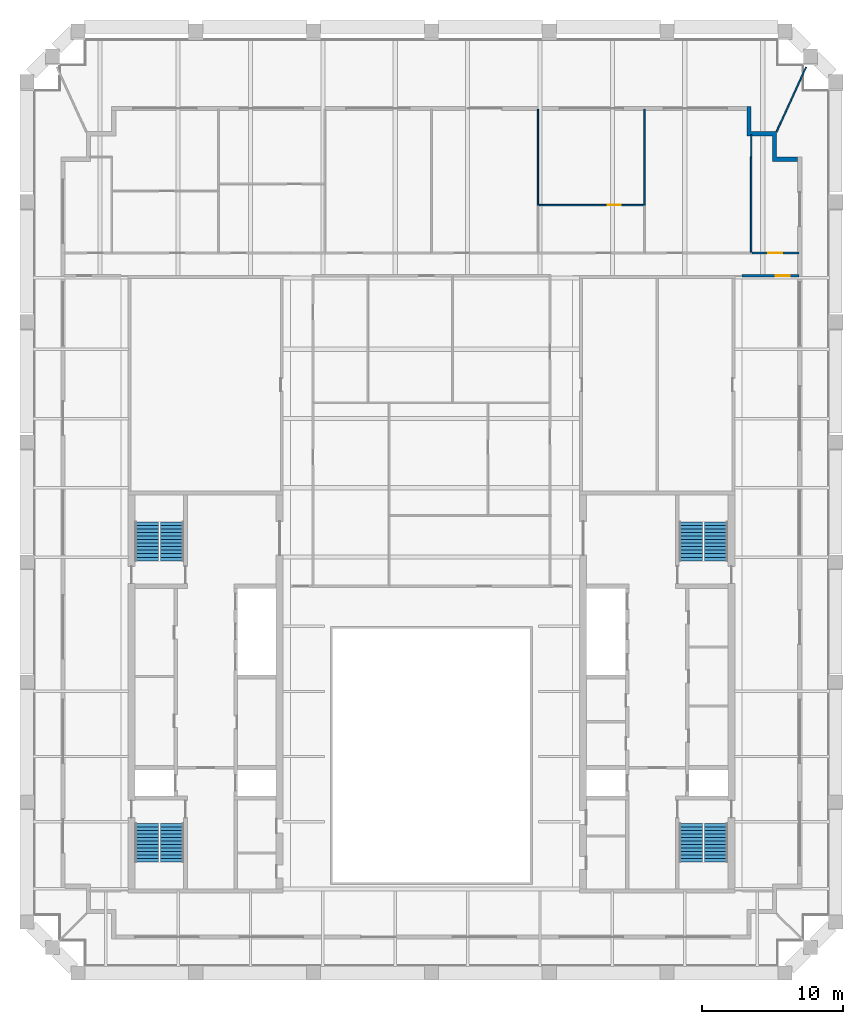
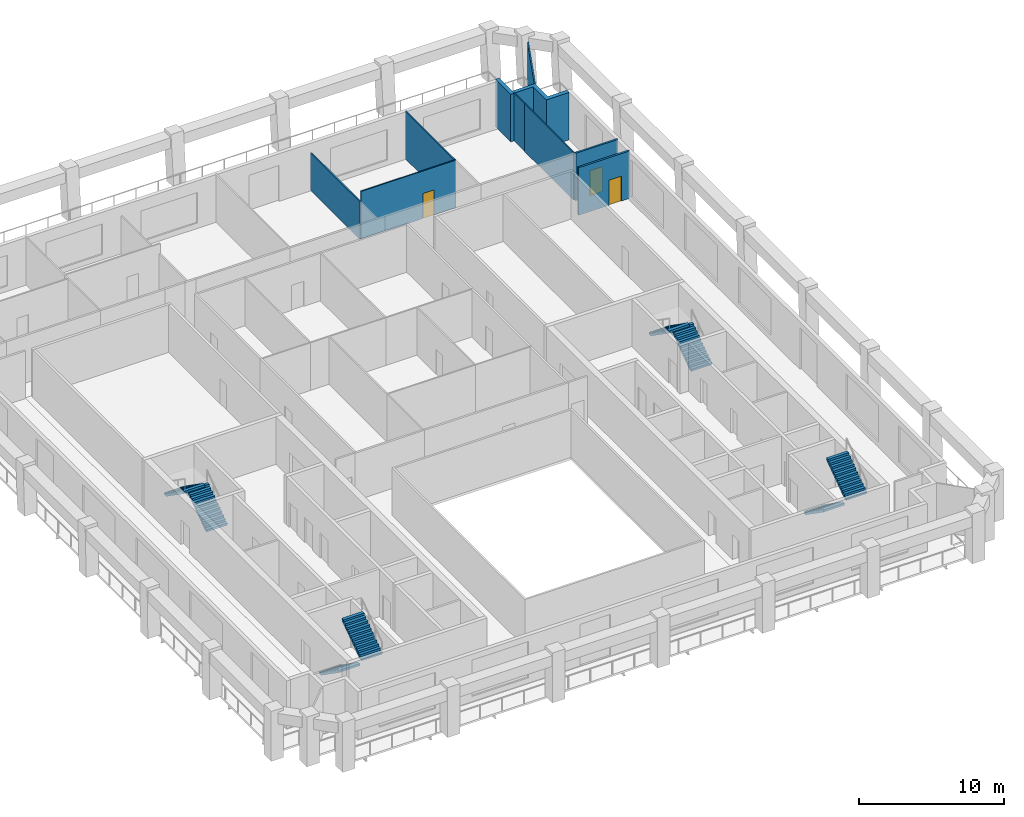
# One storey, part 7 of 8: 9 walls, 8 stair flights, 3 doors, 3 openings, 4 elements without a shape of their own.
"""IFC4 building model written with IfcOpenShell, lengths in metres."""

from ifc_helpers import new_model, si_unit, direction, frame, frame_2d, origin, place, context, subcontext, project, spatial, polyline, rectangle, outline, extrude, material, layer, layer_set, type_object, element, fill, aggregate, save


model = new_model("IFC4")

# Units and contexts
model_context = context("Model", 3, precision=1e-05, world=origin(), true_north=direction((0.0, 1.0)))
body_context = subcontext(model_context, "Body", "Model", "MODEL_VIEW")
ifc_project = project(units=[si_unit("LENGTHUNIT", "METRE"), si_unit("AREAUNIT", "SQUARE_METRE"), si_unit("VOLUMEUNIT", "CUBIC_METRE"), si_unit("PLANEANGLEUNIT", "RADIAN"), si_unit("MASSUNIT", "GRAM", prefix="KILO")], contexts=[model_context])

# Site, building, storey
site_placement = place(None, origin())
site = spatial("IfcSite", under=ifc_project, at=site_placement, CompositionType="ELEMENT")
building_placement = place(site_placement, origin())
building = spatial("IfcBuilding", under=site, at=building_placement, Name="Ogive Exchange Tower", CompositionType="ELEMENT")
storey_placement = place(building_placement, frame((0.0, 0.0, 334.199951171875)))
storey = spatial("IfcBuildingStorey", under=building, at=storey_placement, Name="L73", CompositionType="ELEMENT", Elevation=334.199951171875)

# Wall, opening, door
ifc_material_1 = material(Name="Fire partition EI 60 150")
ifc_layer_1 = layer(ifc_material_1, 0.14990234375)
ifc_layer_set_1 = layer_set([ifc_layer_1], Name="Fire partition EI 60 150")
wall_type_1 = type_object("IfcWallType", Name="Fire partition EI 60 150", PredefinedType="PARTITIONING", material=ifc_layer_set_1)
wall_1_placement = place(storey_placement, frame((22.699951171875, 42.60009765625, 0.0), z_axis=(0.0, 0.0, 1.0), x_axis=(1.0, 0.0, 0.0)))
wall_1 = element("IfcWall", 1, at=wall_1_placement, inside=storey, type_object=wall_type_1, Name="L73-PWL-052", PredefinedType="PARTITIONING", context=body_context, shape_type="SweptSolid", body=[
    extrude(rectangle(XDim=3.35009765625, YDim=0.14990234375, at=frame_2d((1.675048828125, 0.0))), origin(), (0.0, 0.0, 1.0), 4.0),
])
opening_1_placement = place(wall_1_placement, frame((1.14990234375, 0.0, 0.0)))
opening_1 = element("IfcOpeningElement", 2, at=opening_1_placement, cuts=wall_1, Name="Opening L73-I05", PredefinedType="OPENING", context=body_context, shape_type="SweptSolid", body=[
    extrude(rectangle(XDim=1.0, YDim=2.10009765625, at=frame_2d((0.5, 1.050048828125))), frame((0.0, 0.0849609375, 0.0), z_axis=(0.0, -1.0, 0.0), x_axis=(1.0, 0.0, 0.0)), (0.0, 0.0, 1.0), 0.169921875),
])
ifc_material_2 = material(Name="Fire door FD 30S 1000 x 2100")
door_type_1 = type_object("IfcDoorType", Name="Fire door FD 30S 1000 x 2100", OperationType="NOTDEFINED", PredefinedType="DOOR", material=ifc_material_2)
door_1_placement = place(opening_1_placement, origin())
door_1 = element("IfcDoor", 3, at=door_1_placement, inside=storey, type_object=door_type_1, Name="L73-IDR-005", ObjectType="DT3", OperationType="SINGLE_SWING_RIGHT", OverallHeight=2.10009765625, OverallWidth=1.0, PredefinedType="DOOR", context=body_context, shape_type="SweptSolid", body=[
    extrude(rectangle(XDim=1.0, YDim=2.10009765625, at=frame_2d((0.5, 1.050048828125))), frame((0.0, 0.02490234375, 0.0), z_axis=(0.0, -1.0, 0.0), x_axis=(1.0, 0.0, 0.0)), (0.0, 0.0, 1.0), 0.050048828125),
])
fill(opening_1, door_1)

wall_2_placement = place(storey_placement, frame((26.050048828125, 41.0, 0.0), z_axis=(0.0, 0.0, 1.0), x_axis=(-1.0, 0.0, 0.0)))
wall_2 = element("IfcWall", 4, at=wall_2_placement, inside=storey, type_object=wall_type_1, Name="L73-PWL-054", PredefinedType="PARTITIONING", context=body_context, shape_type="SweptSolid", body=[
    extrude(rectangle(XDim=4.050048828125, YDim=0.14990234375, at=frame_2d((2.02490234375, 0.0))), origin(), (0.0, 0.0, 1.0), 4.0),
])
opening_2_placement = place(wall_2_placement, frame((0.64990234375, 0.0, 0.0)))
opening_2 = element("IfcOpeningElement", 5, at=opening_2_placement, cuts=wall_2, Name="Opening L73-I20", PredefinedType="OPENING", context=body_context, shape_type="SweptSolid", body=[
    extrude(rectangle(XDim=1.0, YDim=2.10009765625, at=frame_2d((0.5, 1.050048828125))), frame((0.0, 0.0849609375, 0.0), z_axis=(0.0, -1.0, 0.0), x_axis=(1.0, 0.0, 0.0)), (0.0, 0.0, 1.0), 0.169921875),
])
door_2_placement = place(opening_2_placement, origin())
door_2 = element("IfcDoor", 6, at=door_2_placement, inside=storey, type_object=door_type_1, Name="L73-IDR-020", ObjectType="DT3", OperationType="SINGLE_SWING_RIGHT", OverallHeight=2.10009765625, OverallWidth=1.0, PredefinedType="DOOR", context=body_context, shape_type="SweptSolid", body=[
    extrude(rectangle(XDim=1.0, YDim=2.10009765625, at=frame_2d((0.5, 1.050048828125))), frame((0.0, 0.02490234375, 0.0), z_axis=(0.0, -1.0, 0.0), x_axis=(1.0, 0.0, 0.0)), (0.0, 0.0, 1.0), 0.050048828125),
])
fill(opening_2, door_2)

# Walls
ifc_material_3 = material(Name="Precast concrete C40/50", Category="concrete")
ifc_layer_2 = layer(ifc_material_3, 0.300048828125)
ifc_layer_set_2 = layer_set([ifc_layer_2], Name="Limestone-faced wall 300")
wall_type_2 = type_object("IfcWallType", Name="Limestone-faced wall 300", PredefinedType="STANDARD", material=ifc_layer_set_2)
wall_3_placement = place(storey_placement, origin())
element("IfcWall", 7, at=wall_3_placement, inside=storey, type_object=wall_type_2, Name="External corner wall C2", PredefinedType="STANDARD", context=body_context, shape_type="SweptSolid", body=[
    extrude(outline(polyline([(24.14990234375, 50.89990234375), (22.35009765625, 50.89990234375), (22.35009765625, 53.0), (22.64990234375, 53.0), (22.64990234375, 51.199951171875), (24.449951171875, 51.199951171875), (24.449951171875, 49.39990234375), (25.949951171875, 49.39990234375), (25.949951171875, 49.10009765625), (24.14990234375, 49.10009765625), (24.14990234375, 50.89990234375)])), origin(), (0.0, 0.0, 1.0), 4.0),
])
ifc_material_4 = material(Name="Laminated safety glass in steel frame", Category="steel")
ifc_layer_3 = layer(ifc_material_4, 0.10009765625)
ifc_layer_set_3 = layer_set([ifc_layer_3], Name="Loggia end screen 100")
wall_type_3 = type_object("IfcWallType", Name="Loggia end screen 100", PredefinedType="STANDARD", material=ifc_layer_set_3)
wall_4_placement = place(storey_placement, frame((24.449951171875, 51.199951171875, -0.050048828125), z_axis=(0.0, 0.0, 1.0), x_axis=(0.41666974254, 0.909057933056, 0.0)))
element("IfcWall", 8, at=wall_4_placement, inside=storey, type_object=wall_type_3, Name="Loggia end screen C2", PredefinedType="STANDARD", context=body_context, shape_type="SweptSolid", body=[
    extrude(rectangle(XDim=5.033203125, YDim=0.10009765625, at=frame_2d((2.5166015625, 0.0))), origin(), (0.0, 0.0, 1.0), 4.050048828125),
])
ifc_material_5 = material(Name="Partition 100 gypsum")
ifc_layer_4 = layer(ifc_material_5, 0.10009765625)
ifc_layer_set_4 = layer_set([ifc_layer_4], Name="Partition 100 gypsum")
wall_type_4 = type_object("IfcWallType", Name="Partition 100 gypsum", PredefinedType="PARTITIONING", material=ifc_layer_set_4)
wall_5_placement = place(storey_placement, frame((7.550048828125, 52.800048828125, 0.0), z_axis=(0.0, 0.0, 1.0), x_axis=(0.0, -1.0, 0.0)))
element("IfcWall", 9, at=wall_5_placement, inside=storey, type_object=wall_type_4, Name="L73-PWL-040", PredefinedType="PARTITIONING", context=body_context, shape_type="SweptSolid", body=[
    extrude(rectangle(XDim=6.85009765625, YDim=0.10009765625, at=frame_2d((3.425048828125, 0.0))), origin(), (0.0, 0.0, 1.0), 3.1640625),
])

# Wall, opening, door
wall_6_placement = place(storey_placement, frame((15.14990234375, 46.0, 0.0), z_axis=(0.0, 0.0, 1.0), x_axis=(-1.0, 0.0, 0.0)))
wall_6 = element("IfcWall", 10, at=wall_6_placement, inside=storey, type_object=wall_type_4, Name="L73-PWL-047", PredefinedType="PARTITIONING", context=body_context, shape_type="SweptSolid", body=[
    extrude(rectangle(XDim=7.5498046875, YDim=0.10009765625, at=frame_2d((3.77490234375, 0.0))), origin(), (0.0, 0.0, 1.0), 4.0),
])
opening_3_placement = place(wall_6_placement, frame((1.75, 0.0, 0.0)))
opening_3 = element("IfcOpeningElement", 11, at=opening_3_placement, cuts=wall_6, Name="Opening L73-I03", PredefinedType="OPENING", context=body_context, shape_type="SweptSolid", body=[
    extrude(rectangle(XDim=0.89990234375, YDim=2.10009765625, at=frame_2d((0.449951171875, 1.050048828125))), frame((0.0, 0.06005859375, 0.0), z_axis=(0.0, -1.0, 0.0), x_axis=(1.0, 0.0, 0.0)), (0.0, 0.0, 1.0), 0.1201171875),
])
ifc_material_6 = material(Name="Door 900 x 2100")
door_type_2 = type_object("IfcDoorType", Name="Door 900 x 2100", OperationType="NOTDEFINED", PredefinedType="DOOR", material=ifc_material_6)
door_3_placement = place(opening_3_placement, origin())
door_3 = element("IfcDoor", 12, at=door_3_placement, inside=storey, type_object=door_type_2, Name="L73-IDR-003", ObjectType="DT1", OperationType="SINGLE_SWING_RIGHT", OverallHeight=2.10009765625, OverallWidth=0.89990234375, PredefinedType="DOOR", context=body_context, shape_type="SweptSolid", body=[
    extrude(rectangle(XDim=0.89990234375, YDim=2.10009765625, at=frame_2d((0.449951171875, 1.050048828125))), frame((0.0, 0.02490234375, 0.0), z_axis=(0.0, -1.0, 0.0), x_axis=(1.0, 0.0, 0.0)), (0.0, 0.0, 1.0), 0.050048828125),
])
fill(opening_3, door_3)

# Walls
wall_7_placement = place(storey_placement, frame((15.10009765625, 52.800048828125, 0.0), z_axis=(0.0, 0.0, 1.0), x_axis=(0.0, -1.0, 0.0)))
element("IfcWall", 13, at=wall_7_placement, inside=storey, type_object=wall_type_4, Name="L73-PWL-049", PredefinedType="PARTITIONING", context=body_context, shape_type="SweptSolid", body=[
    extrude(rectangle(XDim=6.75, YDim=0.10009765625, at=frame_2d((3.375, 0.0))), origin(), (0.0, 0.0, 1.0), 4.0),
])
wall_8_placement = place(storey_placement, frame((22.64990234375, 42.675048828125, 0.0), z_axis=(0.0, 0.0, 1.0), x_axis=(0.0, 1.0, 0.0)))
element("IfcWall", 14, at=wall_8_placement, inside=storey, type_object=wall_type_4, Name="L73-PWL-051", PredefinedType="PARTITIONING", context=body_context, shape_type="SweptSolid", body=[
    extrude(rectangle(XDim=6.73486328125, YDim=0.10009765625, at=frame_2d((3.367431640625, 0.0))), origin(), (0.0, 0.0, 1.0), 4.0),
])
wall_9_placement = place(storey_placement, frame((22.659912109375, 49.409912109375, 0.0), z_axis=(0.0, 0.0, 1.0), x_axis=(0.0, 1.0, 0.0)))
element("IfcWall", 15, at=wall_9_placement, inside=storey, type_object=wall_type_4, Name="L73-PWL-053", PredefinedType="PARTITIONING", context=body_context, shape_type="SweptSolid", body=[
    extrude(rectangle(XDim=1.590087890625, YDim=0.10009765625, at=frame_2d((0.794921875, 0.0))), origin(), (0.0, 0.0, 1.0), 4.0),
])

# Stair, stair flights
ifc_material_7 = material(Name="Concrete C40/50", Category="concrete")
stair_type = type_object("IfcStairType", Name="Exit stair 1650 wide", PredefinedType="HALF_TURN_STAIR", material=ifc_material_7)
stair_1_placement = place(storey_placement, origin())
stair_1 = element("IfcStair", 16, at=stair_1_placement, inside=storey, type_object=stair_type, Name="L73 exit stair ST1", PredefinedType="HALF_TURN_STAIR")
stair_flight_type = type_object("IfcStairFlightType", Name="Stair flight 1650 wide", PredefinedType="STRAIGHT", material=ifc_material_7)
stair_flight_1_placement = place(storey_placement, frame((-20.175048828125, 2.199951171875, 0.0), z_axis=(0.0, 0.0, 1.0), x_axis=(0.0, -1.0, 0.0)))
stair_flight_1 = element("IfcStairFlight", 17, at=stair_flight_1_placement, type_object=stair_flight_type, Name="ST1 flight 1", NumberOfRisers=12, NumberOfTreads=11, PredefinedType="STRAIGHT", RiserHeight=0.175, TreadLength=0.25, context=body_context, shape_type="SweptSolid", body=[
    extrude(outline(polyline([(0.0, 0.0), (0.0, 0.175048828125), (0.25, 0.175048828125), (0.25, 0.35009765625), (0.5, 0.35009765625), (0.5, 0.52490234375), (0.75, 0.52490234375), (0.75, 0.699951171875), (1.0, 0.699951171875), (1.0, 0.875), (1.25, 0.875), (1.25, 1.050048828125), (1.5, 1.050048828125), (1.5, 1.22509765625), (1.75, 1.22509765625), (1.75, 1.39990234375), (2.0, 1.39990234375), (2.0, 1.574951171875), (2.25, 1.574951171875), (2.25, 1.75), (2.5, 1.75), (2.5, 1.925048828125), (2.75, 1.925048828125), (2.75, 2.10009765625), (2.75, 1.741943359375), (0.261474609375, 0.0), (0.0, 0.0)])), frame((0.0, 0.824951171875, 0.0), z_axis=(0.0, -1.0, 0.0), x_axis=(1.0, 0.0, 0.0)), (0.0, 0.0, 1.0), 1.64990234375),
])
stair_flight_2_placement = place(storey_placement, frame((-18.375, -0.550048828125, 2.10009765625), z_axis=(0.0, 0.0, 1.0), x_axis=(0.0, 1.0, 0.0)))
stair_flight_2 = element("IfcStairFlight", 18, at=stair_flight_2_placement, type_object=stair_flight_type, Name="ST1 flight 2", NumberOfRisers=12, NumberOfTreads=11, PredefinedType="STRAIGHT", RiserHeight=0.175, TreadLength=0.25, context=body_context, shape_type="SweptSolid", body=[
    extrude(outline(polyline([(0.0, 0.0), (0.0, 0.175048828125), (0.25, 0.175048828125), (0.25, 0.35009765625), (0.5, 0.35009765625), (0.5, 0.52490234375), (0.75, 0.52490234375), (0.75, 0.699951171875), (1.0, 0.699951171875), (1.0, 0.875), (1.25, 0.875), (1.25, 1.050048828125), (1.5, 1.050048828125), (1.5, 1.22509765625), (1.75, 1.22509765625), (1.75, 1.39990234375), (2.0, 1.39990234375), (2.0, 1.574951171875), (2.25, 1.574951171875), (2.25, 1.75), (2.5, 1.75), (2.5, 1.925048828125), (2.75, 1.925048828125), (2.75, 2.10009765625), (2.75, 1.741943359375), (0.261474609375, 0.0), (0.0, 0.0)])), frame((0.0, 0.824951171875, 0.0), z_axis=(0.0, -1.0, 0.0), x_axis=(1.0, 0.0, 0.0)), (0.0, 0.0, 1.0), 1.64990234375),
])
aggregate(stair_1, [stair_flight_1, stair_flight_2])

stair_2_placement = place(storey_placement, origin())
stair_2 = element("IfcStair", 19, at=stair_2_placement, inside=storey, type_object=stair_type, Name="L73 exit stair ST2", PredefinedType="HALF_TURN_STAIR")
stair_flight_3_placement = place(storey_placement, frame((-18.375, 20.800048828125, 0.0), z_axis=(0.0, 0.0, 1.0), x_axis=(0.0, 1.0, 0.0)))
stair_flight_3 = element("IfcStairFlight", 20, at=stair_flight_3_placement, type_object=stair_flight_type, Name="ST2 flight 1", NumberOfRisers=12, NumberOfTreads=11, PredefinedType="STRAIGHT", RiserHeight=0.175, TreadLength=0.25, context=body_context, shape_type="SweptSolid", body=[
    extrude(outline(polyline([(0.0, 0.0), (0.0, 0.175048828125), (0.25, 0.175048828125), (0.25, 0.35009765625), (0.5, 0.35009765625), (0.5, 0.52490234375), (0.75, 0.52490234375), (0.75, 0.699951171875), (1.0, 0.699951171875), (1.0, 0.875), (1.25, 0.875), (1.25, 1.050048828125), (1.5, 1.050048828125), (1.5, 1.22509765625), (1.75, 1.22509765625), (1.75, 1.39990234375), (2.0, 1.39990234375), (2.0, 1.574951171875), (2.25, 1.574951171875), (2.25, 1.75), (2.5, 1.75), (2.5, 1.925048828125), (2.75, 1.925048828125), (2.75, 2.10009765625), (2.75, 1.741943359375), (0.261474609375, 0.0), (0.0, 0.0)])), frame((0.0, 0.824951171875, 0.0), z_axis=(0.0, -1.0, 0.0), x_axis=(1.0, 0.0, 0.0)), (0.0, 0.0, 1.0), 1.64990234375),
])
stair_flight_4_placement = place(storey_placement, frame((-20.175048828125, 23.550048828125, 2.10009765625), z_axis=(0.0, 0.0, 1.0), x_axis=(0.0, -1.0, 0.0)))
stair_flight_4 = element("IfcStairFlight", 21, at=stair_flight_4_placement, type_object=stair_flight_type, Name="ST2 flight 2", NumberOfRisers=12, NumberOfTreads=11, PredefinedType="STRAIGHT", RiserHeight=0.175, TreadLength=0.25, context=body_context, shape_type="SweptSolid", body=[
    extrude(outline(polyline([(0.0, 0.0), (0.0, 0.175048828125), (0.25, 0.175048828125), (0.25, 0.35009765625), (0.5, 0.35009765625), (0.5, 0.52490234375), (0.75, 0.52490234375), (0.75, 0.699951171875), (1.0, 0.699951171875), (1.0, 0.875), (1.25, 0.875), (1.25, 1.050048828125), (1.5, 1.050048828125), (1.5, 1.22509765625), (1.75, 1.22509765625), (1.75, 1.39990234375), (2.0, 1.39990234375), (2.0, 1.574951171875), (2.25, 1.574951171875), (2.25, 1.75), (2.5, 1.75), (2.5, 1.925048828125), (2.75, 1.925048828125), (2.75, 2.10009765625), (2.75, 1.741943359375), (0.261474609375, 0.0), (0.0, 0.0)])), frame((0.0, 0.824951171875, 0.0), z_axis=(0.0, -1.0, 0.0), x_axis=(1.0, 0.0, 0.0)), (0.0, 0.0, 1.0), 1.64990234375),
])
aggregate(stair_2, [stair_flight_3, stair_flight_4])

stair_3_placement = place(storey_placement, origin())
stair_3 = element("IfcStair", 22, at=stair_3_placement, inside=storey, type_object=stair_type, Name="L73 exit stair ST3", PredefinedType="HALF_TURN_STAIR")
stair_flight_5_placement = place(storey_placement, frame((18.375, 2.199951171875, 0.0), z_axis=(0.0, 0.0, 1.0), x_axis=(0.0, -1.0, 0.0)))
stair_flight_5 = element("IfcStairFlight", 23, at=stair_flight_5_placement, type_object=stair_flight_type, Name="ST3 flight 1", NumberOfRisers=12, NumberOfTreads=11, PredefinedType="STRAIGHT", RiserHeight=0.175, TreadLength=0.25, context=body_context, shape_type="SweptSolid", body=[
    extrude(outline(polyline([(0.0, 0.0), (0.0, 0.175048828125), (0.25, 0.175048828125), (0.25, 0.35009765625), (0.5, 0.35009765625), (0.5, 0.52490234375), (0.75, 0.52490234375), (0.75, 0.699951171875), (1.0, 0.699951171875), (1.0, 0.875), (1.25, 0.875), (1.25, 1.050048828125), (1.5, 1.050048828125), (1.5, 1.22509765625), (1.75, 1.22509765625), (1.75, 1.39990234375), (2.0, 1.39990234375), (2.0, 1.574951171875), (2.25, 1.574951171875), (2.25, 1.75), (2.5, 1.75), (2.5, 1.925048828125), (2.75, 1.925048828125), (2.75, 2.10009765625), (2.75, 1.741943359375), (0.261474609375, 0.0), (0.0, 0.0)])), frame((0.0, 0.824951171875, 0.0), z_axis=(0.0, -1.0, 0.0), x_axis=(1.0, 0.0, 0.0)), (0.0, 0.0, 1.0), 1.64990234375),
])
stair_flight_6_placement = place(storey_placement, frame((20.175048828125, -0.550048828125, 2.10009765625), z_axis=(0.0, 0.0, 1.0), x_axis=(0.0, 1.0, 0.0)))
stair_flight_6 = element("IfcStairFlight", 24, at=stair_flight_6_placement, type_object=stair_flight_type, Name="ST3 flight 2", NumberOfRisers=12, NumberOfTreads=11, PredefinedType="STRAIGHT", RiserHeight=0.175, TreadLength=0.25, context=body_context, shape_type="SweptSolid", body=[
    extrude(outline(polyline([(0.0, 0.0), (0.0, 0.175048828125), (0.25, 0.175048828125), (0.25, 0.35009765625), (0.5, 0.35009765625), (0.5, 0.52490234375), (0.75, 0.52490234375), (0.75, 0.699951171875), (1.0, 0.699951171875), (1.0, 0.875), (1.25, 0.875), (1.25, 1.050048828125), (1.5, 1.050048828125), (1.5, 1.22509765625), (1.75, 1.22509765625), (1.75, 1.39990234375), (2.0, 1.39990234375), (2.0, 1.574951171875), (2.25, 1.574951171875), (2.25, 1.75), (2.5, 1.75), (2.5, 1.925048828125), (2.75, 1.925048828125), (2.75, 2.10009765625), (2.75, 1.741943359375), (0.261474609375, 0.0), (0.0, 0.0)])), frame((0.0, 0.824951171875, 0.0), z_axis=(0.0, -1.0, 0.0), x_axis=(1.0, 0.0, 0.0)), (0.0, 0.0, 1.0), 1.64990234375),
])
aggregate(stair_3, [stair_flight_5, stair_flight_6])

stair_4_placement = place(storey_placement, origin())
stair_4 = element("IfcStair", 25, at=stair_4_placement, inside=storey, type_object=stair_type, Name="L73 exit stair ST4", PredefinedType="HALF_TURN_STAIR")
stair_flight_7_placement = place(storey_placement, frame((20.175048828125, 20.800048828125, 0.0), z_axis=(0.0, 0.0, 1.0), x_axis=(0.0, 1.0, 0.0)))
stair_flight_7 = element("IfcStairFlight", 26, at=stair_flight_7_placement, type_object=stair_flight_type, Name="ST4 flight 1", NumberOfRisers=12, NumberOfTreads=11, PredefinedType="STRAIGHT", RiserHeight=0.175, TreadLength=0.25, context=body_context, shape_type="SweptSolid", body=[
    extrude(outline(polyline([(0.0, 0.0), (0.0, 0.175048828125), (0.25, 0.175048828125), (0.25, 0.35009765625), (0.5, 0.35009765625), (0.5, 0.52490234375), (0.75, 0.52490234375), (0.75, 0.699951171875), (1.0, 0.699951171875), (1.0, 0.875), (1.25, 0.875), (1.25, 1.050048828125), (1.5, 1.050048828125), (1.5, 1.22509765625), (1.75, 1.22509765625), (1.75, 1.39990234375), (2.0, 1.39990234375), (2.0, 1.574951171875), (2.25, 1.574951171875), (2.25, 1.75), (2.5, 1.75), (2.5, 1.925048828125), (2.75, 1.925048828125), (2.75, 2.10009765625), (2.75, 1.741943359375), (0.261474609375, 0.0), (0.0, 0.0)])), frame((0.0, 0.824951171875, 0.0), z_axis=(0.0, -1.0, 0.0), x_axis=(1.0, 0.0, 0.0)), (0.0, 0.0, 1.0), 1.64990234375),
])
stair_flight_8_placement = place(storey_placement, frame((18.375, 23.550048828125, 2.10009765625), z_axis=(0.0, 0.0, 1.0), x_axis=(0.0, -1.0, 0.0)))
stair_flight_8 = element("IfcStairFlight", 27, at=stair_flight_8_placement, type_object=stair_flight_type, Name="ST4 flight 2", NumberOfRisers=12, NumberOfTreads=11, PredefinedType="STRAIGHT", RiserHeight=0.175, TreadLength=0.25, context=body_context, shape_type="SweptSolid", body=[
    extrude(outline(polyline([(0.0, 0.0), (0.0, 0.175048828125), (0.25, 0.175048828125), (0.25, 0.35009765625), (0.5, 0.35009765625), (0.5, 0.52490234375), (0.75, 0.52490234375), (0.75, 0.699951171875), (1.0, 0.699951171875), (1.0, 0.875), (1.25, 0.875), (1.25, 1.050048828125), (1.5, 1.050048828125), (1.5, 1.22509765625), (1.75, 1.22509765625), (1.75, 1.39990234375), (2.0, 1.39990234375), (2.0, 1.574951171875), (2.25, 1.574951171875), (2.25, 1.75), (2.5, 1.75), (2.5, 1.925048828125), (2.75, 1.925048828125), (2.75, 2.10009765625), (2.75, 1.741943359375), (0.261474609375, 0.0), (0.0, 0.0)])), frame((0.0, 0.824951171875, 0.0), z_axis=(0.0, -1.0, 0.0), x_axis=(1.0, 0.0, 0.0)), (0.0, 0.0, 1.0), 1.64990234375),
])
aggregate(stair_4, [stair_flight_7, stair_flight_8])

save(model, "model.ifc")
